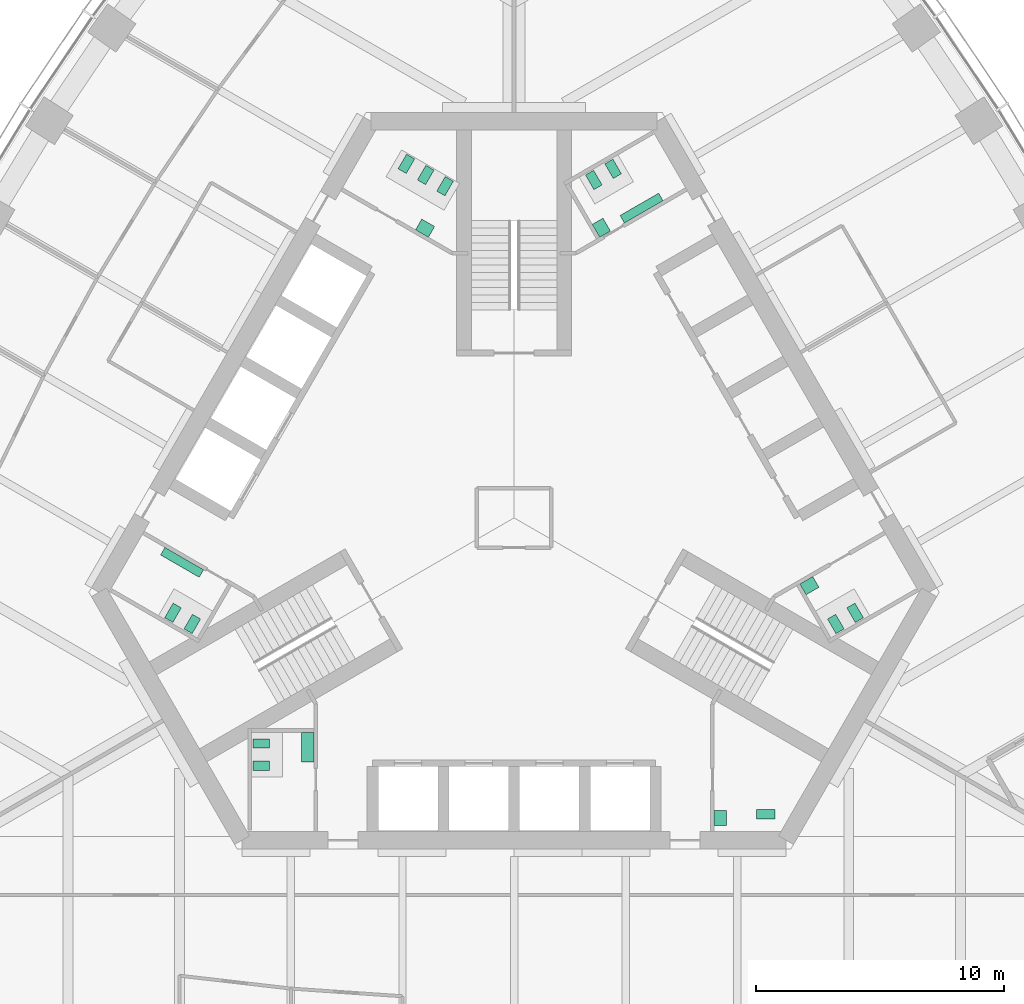
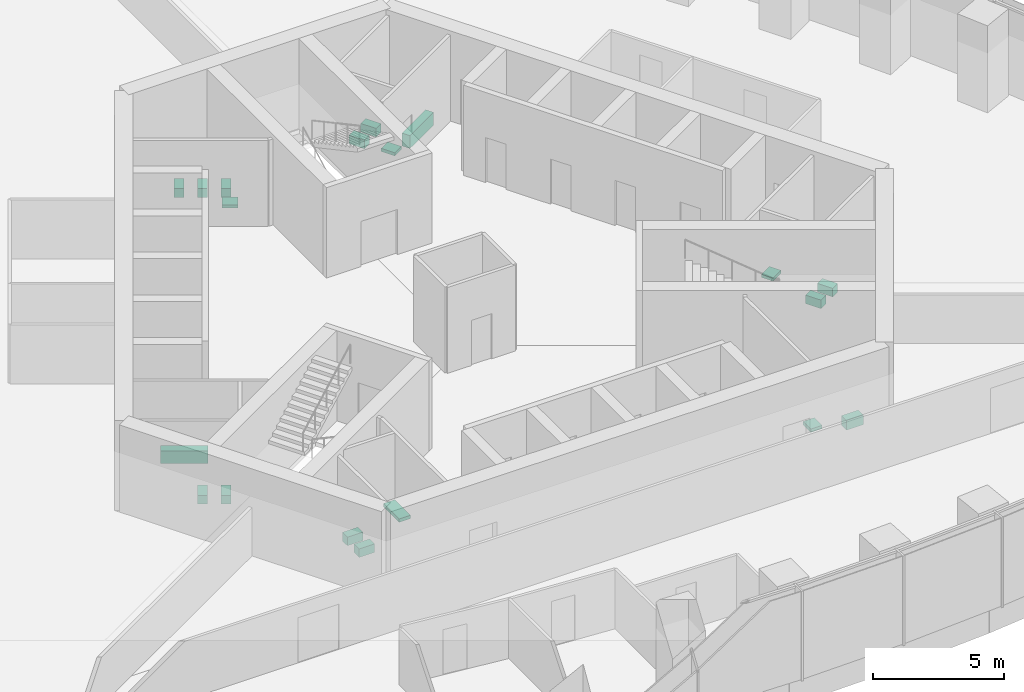
# One storey, part 18 of 19: 19 sanitary terminals.
"""IFC4 building model written with IfcOpenShell, lengths in metres."""

from ifc_helpers import new_model, si_unit, direction, frame, origin, place, context, subcontext, project, spatial, polyline, outline, extrude, material, type_object, element, save


model = new_model("IFC4")

# Units and contexts
model_context = context("Model", 3, precision=1e-05, world=origin(), true_north=direction((0.0, 1.0)))
body_context = subcontext(model_context, "Body", "Model", "MODEL_VIEW")
ifc_project = project(units=[si_unit("LENGTHUNIT", "METRE"), si_unit("AREAUNIT", "SQUARE_METRE"), si_unit("VOLUMEUNIT", "CUBIC_METRE"), si_unit("PLANEANGLEUNIT", "RADIAN"), si_unit("MASSUNIT", "GRAM", prefix="KILO")], contexts=[model_context])

# Site, building, storey
site_placement = place(None, origin())
site = spatial("IfcSite", under=ifc_project, at=site_placement, CompositionType="ELEMENT")
building_placement = place(site_placement, origin())
building = spatial("IfcBuilding", under=site, at=building_placement, Name="Trefoil Bronze Tower", CompositionType="ELEMENT")
storey_placement = place(building_placement, frame((0.0, 0.0, 248.5)))
storey = spatial("IfcBuildingStorey", under=building, at=storey_placement, Name="L57", CompositionType="ELEMENT", Elevation=248.5)

# Sanitary terminals
ifc_material_1 = material(Name="Vitreous china", Category="ceramic")
sanitary_terminal_type_1 = type_object("IfcSanitaryTerminalType", Name="Accessible WC pan", PredefinedType="TOILETPAN", material=ifc_material_1)
sanitary_terminal_1_placement = place(storey_placement, origin())
element("IfcSanitaryTerminal", 1, at=sanitary_terminal_1_placement, inside=storey, type_object=sanitary_terminal_type_1, Name="WC pan 1 Accessible WC L57", PredefinedType="TOILETPAN", context=body_context, shape_type="SweptSolid", body=[
    extrude(outline(polyline([(9.784912109375, -11.77001953125), (10.534912109375, -11.77001953125), (10.534912109375, -12.14990234375), (9.784912109375, -12.14990234375), (9.784912109375, -11.77001953125)])), origin(), (0.0, 0.0, 1.0), 0.449951171875),
])
ifc_material_2 = material(Name="Vitreous china", Category="ceramic")
sanitary_terminal_type_2 = type_object("IfcSanitaryTerminalType", Name="Accessible basin", PredefinedType="WASHHANDBASIN", material=ifc_material_2)
sanitary_terminal_2_placement = place(storey_placement, frame((0.0, 0.0, 0.64990234375)))
element("IfcSanitaryTerminal", 2, at=sanitary_terminal_2_placement, inside=storey, type_object=sanitary_terminal_type_2, Name="Wash basin Accessible WC L57", PredefinedType="WASHHANDBASIN", context=body_context, shape_type="SweptSolid", body=[
    extrude(outline(polyline([(8.074951171875, -11.800048828125), (8.574951171875, -11.800048828125), (8.574951171875, -12.39990234375), (8.074951171875, -12.39990234375), (8.074951171875, -11.800048828125)])), origin(), (0.0, 0.0, 1.0), 0.150146484375),
])
ifc_material_3 = material(Name="Vitreous china", Category="ceramic")
sanitary_terminal_type_3 = type_object("IfcSanitaryTerminalType", Name="Urinal range 3 urinals", PredefinedType="URINAL", material=ifc_material_3)
sanitary_terminal_3_placement = place(storey_placement, frame((0.0, 0.0, 0.39990234375)))
element("IfcSanitaryTerminal", 3, at=sanitary_terminal_3_placement, inside=storey, type_object=sanitary_terminal_type_3, Name="Urinal range WC (men) L57", PredefinedType="URINAL", context=body_context, shape_type="SweptSolid", body=[
    extrude(outline(polyline([(4.449462890625, 11.89306640625), (4.274658203125, 12.1962890625), (5.83349609375, 13.09619140625), (6.00830078125, 12.793212890625), (4.449462890625, 11.89306640625)])), origin(), (0.0, 0.0, 1.0), 0.60009765625),
])
sanitary_terminal_4_placement = place(storey_placement, frame((0.0, 0.0, 0.39990234375)))
element("IfcSanitaryTerminal", 4, at=sanitary_terminal_4_placement, inside=storey, type_object=sanitary_terminal_type_3, Name="Urinal range WC (men) L57", PredefinedType="URINAL", context=body_context, shape_type="SweptSolid", body=[
    extrude(outline(polyline([(-12.524658203125, -2.09326171875), (-12.699462890625, -2.396240234375), (-14.25830078125, -1.496337890625), (-14.08349609375, -1.193115234375), (-12.524658203125, -2.09326171875)])), origin(), (0.0, 0.0, 1.0), 0.60009765625),
])
ifc_material_4 = material(Name="Solid surface vanity", Category="plastic")
sanitary_terminal_type_4 = type_object("IfcSanitaryTerminalType", Name="Vanity unit 1 basins", PredefinedType="WASHHANDBASIN", material=ifc_material_4)
sanitary_terminal_5_placement = place(storey_placement, frame((0.0, 0.0, 0.75)))
element("IfcSanitaryTerminal", 5, at=sanitary_terminal_5_placement, inside=storey, type_object=sanitary_terminal_type_4, Name="Vanity unit WC (women) L57", PredefinedType="WASHHANDBASIN", context=body_context, shape_type="SweptSolid", body=[
    extrude(outline(polyline([(11.528564453125, -2.668212890625), (11.778564453125, -3.10107421875), (12.29833984375, -2.80126953125), (12.04833984375, -2.3681640625), (11.528564453125, -2.668212890625)])), origin(), (0.0, 0.0, 1.0), 0.14990234375),
])
sanitary_terminal_6_placement = place(storey_placement, frame((0.0, 0.0, 0.75)))
element("IfcSanitaryTerminal", 6, at=sanitary_terminal_6_placement, inside=storey, type_object=sanitary_terminal_type_4, Name="Vanity unit WC (men) L57", PredefinedType="WASHHANDBASIN", context=body_context, shape_type="SweptSolid", body=[
    extrude(outline(polyline([(3.45361328125, 11.318115234375), (3.153564453125, 11.837890625), (3.586669921875, 12.087890625), (3.88671875, 11.568115234375), (3.45361328125, 11.318115234375)])), origin(), (0.0, 0.0, 1.0), 0.14990234375),
])
sanitary_terminal_7_placement = place(storey_placement, frame((0.0, 0.0, 0.75)))
element("IfcSanitaryTerminal", 7, at=sanitary_terminal_7_placement, inside=storey, type_object=sanitary_terminal_type_4, Name="Vanity unit WC (women) L57", PredefinedType="WASHHANDBASIN", context=body_context, shape_type="SweptSolid", body=[
    extrude(outline(polyline([(-3.45361328125, 11.318115234375), (-3.20361328125, 11.751220703125), (-3.72314453125, 12.05126953125), (-3.97314453125, 11.6181640625), (-3.45361328125, 11.318115234375)])), origin(), (0.0, 0.0, 1.0), 0.14990234375),
])
ifc_material_5 = material(Name="Solid surface vanity", Category="plastic")
sanitary_terminal_type_5 = type_object("IfcSanitaryTerminalType", Name="Vanity unit 2 basins", PredefinedType="WASHHANDBASIN", material=ifc_material_5)
sanitary_terminal_8_placement = place(storey_placement, frame((0.0, 0.0, 0.75)))
element("IfcSanitaryTerminal", 8, at=sanitary_terminal_8_placement, inside=storey, type_object=sanitary_terminal_type_5, Name="Vanity unit WC (women) L57", PredefinedType="WASHHANDBASIN", context=body_context, shape_type="SweptSolid", body=[
    extrude(outline(polyline([(-8.074951171875, -8.64990234375), (-8.574951171875, -8.64990234375), (-8.574951171875, -9.85009765625), (-8.074951171875, -9.85009765625), (-8.074951171875, -8.64990234375)])), origin(), (0.0, 0.0, 1.0), 0.14990234375),
])
ifc_material_6 = material(Name="Vitreous china", Category="ceramic")
sanitary_terminal_type_6 = type_object("IfcSanitaryTerminalType", Name="WC pan", PredefinedType="TOILETPAN", material=ifc_material_6)
sanitary_terminal_9_placement = place(storey_placement, origin())
element("IfcSanitaryTerminal", 9, at=sanitary_terminal_9_placement, inside=storey, type_object=sanitary_terminal_type_6, Name="WC pan 1 WC (women) L57", PredefinedType="TOILETPAN", context=body_context, shape_type="SweptSolid", body=[
    extrude(outline(polyline([(12.643798828125, -4.07958984375), (12.98388671875, -4.66845703125), (13.31298828125, -4.478515625), (12.972900390625, -3.8896484375), (12.643798828125, -4.07958984375)])), origin(), (0.0, 0.0, 1.0), 0.39990234375),
])
sanitary_terminal_10_placement = place(storey_placement, origin())
element("IfcSanitaryTerminal", 10, at=sanitary_terminal_10_placement, inside=storey, type_object=sanitary_terminal_type_6, Name="WC pan 2 WC (women) L57", PredefinedType="TOILETPAN", context=body_context, shape_type="SweptSolid", body=[
    extrude(outline(polyline([(13.423095703125, -3.629638671875), (13.76318359375, -4.218505859375), (14.09228515625, -4.028564453125), (13.752197265625, -3.439697265625), (13.423095703125, -3.629638671875)])), origin(), (0.0, 0.0, 1.0), 0.39990234375),
])
sanitary_terminal_11_placement = place(storey_placement, origin())
element("IfcSanitaryTerminal", 11, at=sanitary_terminal_11_placement, inside=storey, type_object=sanitary_terminal_type_6, Name="WC pan 1 WC (men) L57", PredefinedType="TOILETPAN", context=body_context, shape_type="SweptSolid", body=[
    extrude(outline(polyline([(3.2216796875, 13.23974609375), (2.8818359375, 13.82861328125), (3.2109375, 14.0185546875), (3.55078125, 13.4296875), (3.2216796875, 13.23974609375)])), origin(), (0.0, 0.0, 1.0), 0.39990234375),
])
sanitary_terminal_12_placement = place(storey_placement, origin())
element("IfcSanitaryTerminal", 12, at=sanitary_terminal_12_placement, inside=storey, type_object=sanitary_terminal_type_6, Name="WC pan 2 WC (men) L57", PredefinedType="TOILETPAN", context=body_context, shape_type="SweptSolid", body=[
    extrude(outline(polyline([(4.001220703125, 13.689697265625), (3.6611328125, 14.278564453125), (3.990234375, 14.468505859375), (4.330322265625, 13.879638671875), (4.001220703125, 13.689697265625)])), origin(), (0.0, 0.0, 1.0), 0.39990234375),
])
sanitary_terminal_13_placement = place(storey_placement, origin())
element("IfcSanitaryTerminal", 13, at=sanitary_terminal_13_placement, inside=storey, type_object=sanitary_terminal_type_6, Name="WC pan 1 WC (women) L57", PredefinedType="TOILETPAN", context=body_context, shape_type="SweptSolid", body=[
    extrude(outline(polyline([(-2.788818359375, 12.98974609375), (-2.44873046875, 13.57861328125), (-2.77783203125, 13.7685546875), (-3.117919921875, 13.1796875), (-2.788818359375, 12.98974609375)])), origin(), (0.0, 0.0, 1.0), 0.39990234375),
])
sanitary_terminal_14_placement = place(storey_placement, origin())
element("IfcSanitaryTerminal", 14, at=sanitary_terminal_14_placement, inside=storey, type_object=sanitary_terminal_type_6, Name="WC pan 2 WC (women) L57", PredefinedType="TOILETPAN", context=body_context, shape_type="SweptSolid", body=[
    extrude(outline(polyline([(-3.568115234375, 13.439697265625), (-3.228271484375, 14.028564453125), (-3.557373046875, 14.218505859375), (-3.897216796875, 13.629638671875), (-3.568115234375, 13.439697265625)])), origin(), (0.0, 0.0, 1.0), 0.39990234375),
])
sanitary_terminal_15_placement = place(storey_placement, origin())
element("IfcSanitaryTerminal", 15, at=sanitary_terminal_15_placement, inside=storey, type_object=sanitary_terminal_type_6, Name="WC pan 3 WC (women) L57", PredefinedType="TOILETPAN", context=body_context, shape_type="SweptSolid", body=[
    extrude(outline(polyline([(-4.34765625, 13.8896484375), (-4.007568359375, 14.478515625), (-4.336669921875, 14.66845703125), (-4.6767578125, 14.07958984375), (-4.34765625, 13.8896484375)])), origin(), (0.0, 0.0, 1.0), 0.39990234375),
])
sanitary_terminal_16_placement = place(storey_placement, origin())
element("IfcSanitaryTerminal", 16, at=sanitary_terminal_16_placement, inside=storey, type_object=sanitary_terminal_type_6, Name="WC pan 1 WC (men) L57", PredefinedType="TOILETPAN", context=body_context, shape_type="SweptSolid", body=[
    extrude(outline(polyline([(-12.643798828125, -4.07958984375), (-12.98388671875, -4.66845703125), (-13.31298828125, -4.478515625), (-12.972900390625, -3.8896484375), (-12.643798828125, -4.07958984375)])), origin(), (0.0, 0.0, 1.0), 0.39990234375),
])
sanitary_terminal_17_placement = place(storey_placement, origin())
element("IfcSanitaryTerminal", 17, at=sanitary_terminal_17_placement, inside=storey, type_object=sanitary_terminal_type_6, Name="WC pan 2 WC (men) L57", PredefinedType="TOILETPAN", context=body_context, shape_type="SweptSolid", body=[
    extrude(outline(polyline([(-13.423095703125, -3.629638671875), (-13.76318359375, -4.218505859375), (-14.09228515625, -4.028564453125), (-13.752197265625, -3.439697265625), (-13.423095703125, -3.629638671875)])), origin(), (0.0, 0.0, 1.0), 0.39990234375),
])
sanitary_terminal_18_placement = place(storey_placement, origin())
element("IfcSanitaryTerminal", 18, at=sanitary_terminal_18_placement, inside=storey, type_object=sanitary_terminal_type_6, Name="WC pan 1 WC (women) L57", PredefinedType="TOILETPAN", context=body_context, shape_type="SweptSolid", body=[
    extrude(outline(polyline([(-9.85498046875, -8.909912109375), (-10.534912109375, -8.909912109375), (-10.534912109375, -9.2900390625), (-9.85498046875, -9.2900390625), (-9.85498046875, -8.909912109375)])), origin(), (0.0, 0.0, 1.0), 0.39990234375),
])
sanitary_terminal_19_placement = place(storey_placement, origin())
element("IfcSanitaryTerminal", 19, at=sanitary_terminal_19_placement, inside=storey, type_object=sanitary_terminal_type_6, Name="WC pan 2 WC (women) L57", PredefinedType="TOILETPAN", context=body_context, shape_type="SweptSolid", body=[
    extrude(outline(polyline([(-9.85498046875, -9.81005859375), (-10.534912109375, -9.81005859375), (-10.534912109375, -10.18994140625), (-9.85498046875, -10.18994140625), (-9.85498046875, -9.81005859375)])), origin(), (0.0, 0.0, 1.0), 0.39990234375),
])

save(model, "model.ifc")
